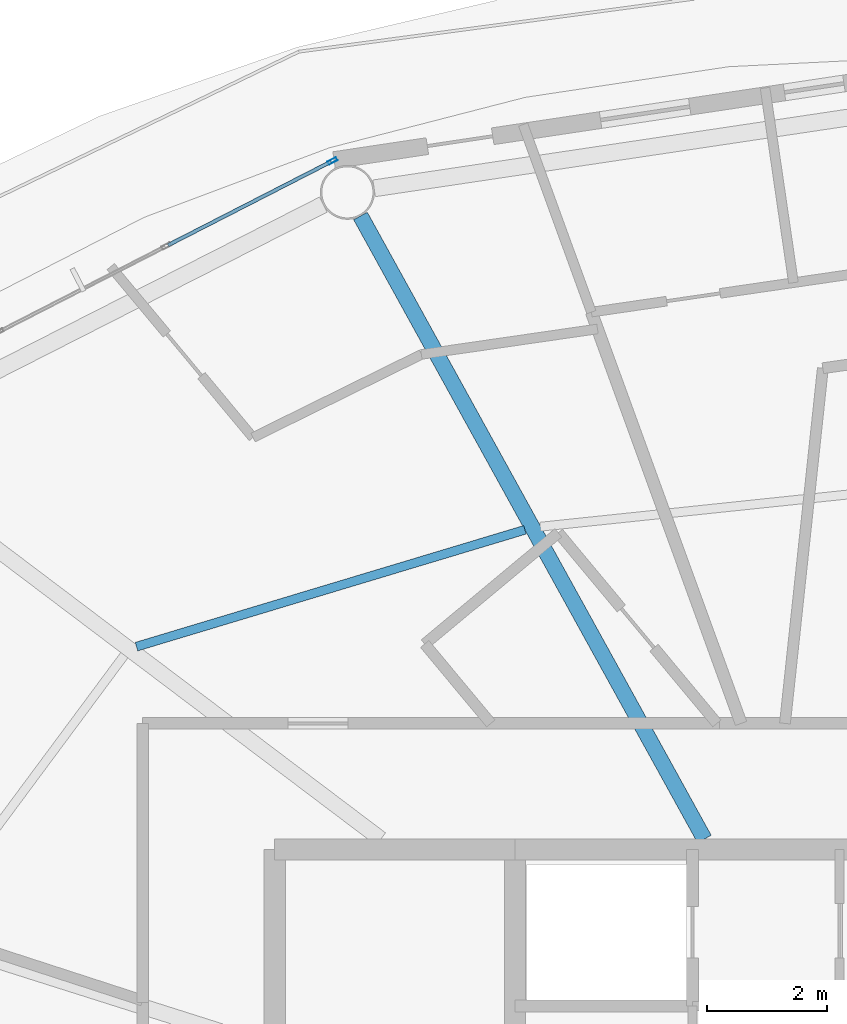
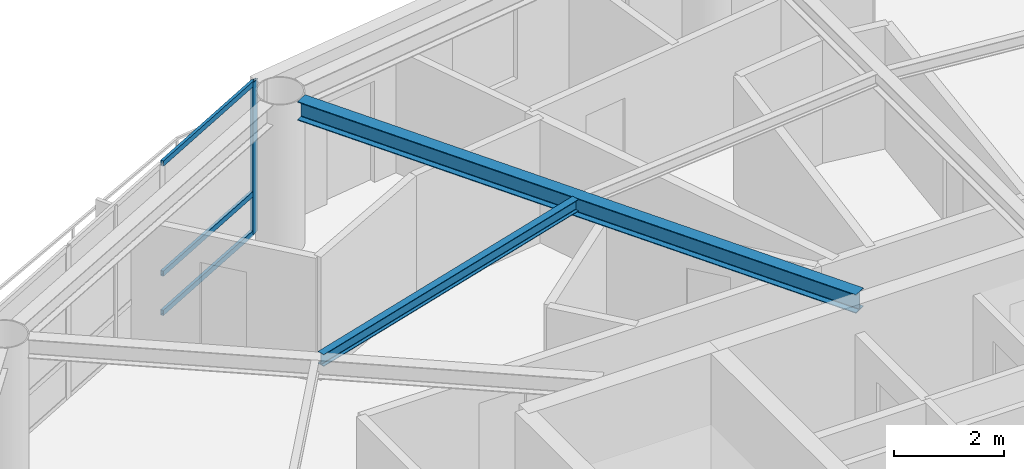
# One storey, part 9 of 22: 4 members, 2 beams, 1 element without a shape of its own.
"""IFC4 building model written with IfcOpenShell, lengths in metres."""

from ifc_helpers import new_model, si_unit, direction, frame, origin, origin_2d, place, context, subcontext, project, spatial, hollow_rectangle, i_section, extrude, material, layer, layer_set, material_profile, profile_set, type_object, element, aggregate, save


model = new_model("IFC4")

# Units and contexts
model_context = context("Model", 3, precision=1e-05, world=origin(), true_north=direction((0.0, 1.0)))
body_context = subcontext(model_context, "Body", "Model", "MODEL_VIEW")
ifc_project = project(units=[si_unit("LENGTHUNIT", "METRE"), si_unit("AREAUNIT", "SQUARE_METRE"), si_unit("VOLUMEUNIT", "CUBIC_METRE"), si_unit("PLANEANGLEUNIT", "RADIAN"), si_unit("MASSUNIT", "GRAM", prefix="KILO")], contexts=[model_context])

# Site, building, storey
site_placement = place(None, origin())
site = spatial("IfcSite", under=ifc_project, at=site_placement, CompositionType="ELEMENT")
building_placement = place(site_placement, origin())
building = spatial("IfcBuilding", under=site, at=building_placement, Name="Sarneth Arch Tower", CompositionType="ELEMENT")
storey_placement = place(building_placement, frame((0.0, 0.0, 298.199951171875)))
storey = spatial("IfcBuildingStorey", under=building, at=storey_placement, Name="L77", CompositionType="ELEMENT", Elevation=298.199951171875)

# Beams
ifc_material_1 = material(Name="Steel S355", Category="steel")
ifc_material_profile_1 = material_profile(ifc_material_1, i_section(OverallWidth=0.14794921875, OverallDepth=0.26611328125, WebThickness=0.007568359375, FlangeThickness=0.012939453125, FilletRadius=0.012939453125, at=origin_2d()), Name="W250x44.8")
ifc_profile_set_1 = profile_set([ifc_material_profile_1], Name="Steel S355")
beam_type_1 = type_object("IfcBeamType", Name="BM-JOIST-250", PredefinedType="JOIST", material=ifc_profile_set_1)
beam_1_placement = place(storey_placement, frame((41.163818359375, 54.122314453125, 3.237060546875), z_axis=(-0.95760703602, -0.288077705776, 0.0), x_axis=(0.288077705776, -0.95760703602, 0.0)))
element("IfcBeam", 1, at=beam_1_placement, inside=storey, type_object=beam_type_1, Name="L77 Secondary floor joist 06", PredefinedType="JOIST", context=body_context, shape_type="SweptSolid", body=[
    extrude(i_section(OverallWidth=0.14794921875, OverallDepth=0.26611328125, WebThickness=0.007568359375, FlangeThickness=0.012939453125, FilletRadius=0.012939453125, at=origin_2d()), origin(), (0.0, 0.0, 1.0), 6.7509765625),
])
ifc_material_2 = material(Name="Steel S355", Category="steel")
ifc_material_profile_2 = material_profile(ifc_material_2, i_section(OverallWidth=0.260009765625, OverallDepth=0.4150390625, WebThickness=0.010009765625, FlangeThickness=0.016845703125, FilletRadius=0.01611328125, at=origin_2d()), Name="W410x100")
ifc_profile_set_2 = profile_set([ifc_material_profile_2], Name="Steel S355")
beam_type_2 = type_object("IfcBeamType", Name="BM-RAD-410A", PredefinedType="BEAM", material=ifc_profile_set_2)
beam_2_placement = place(storey_placement, frame((44.150146484375, 48.97509765625, 3.16259765625), z_axis=(-0.483229367873, 0.875493790969, 0.0), x_axis=(-0.875493790969, -0.483229367873, 0.0)))
element("IfcBeam", 2, at=beam_2_placement, inside=storey, type_object=beam_type_2, Name="L77 Radial floor girder 06", PredefinedType="BEAM", context=body_context, shape_type="SweptSolid", body=[
    extrude(i_section(OverallWidth=0.260009765625, OverallDepth=0.4150390625, WebThickness=0.010009765625, FlangeThickness=0.016845703125, FilletRadius=0.01611328125, at=origin_2d()), origin(), (0.0, 0.0, 1.0), 11.843994140625),
])

# Curtain wall, members
ifc_material_3 = material(Name="Anodised aluminium Type AA25 and solar-control low-e laminated IGU", Category="aluminium")
ifc_layer = layer(ifc_material_3, 0.179931640625)
ifc_layer_set = layer_set([ifc_layer], Name="Anodised aluminium Type AA25 and solar-control low-e laminated IGU")
curtain_wall_type = type_object("IfcCurtainWallType", Name="CW-RES-HIGH", PredefinedType="NOTDEFINED", material=ifc_layer_set)
curtain_wall_placement = place(storey_placement, origin())
curtain_wall = element("IfcCurtainWall", 3, at=curtain_wall_placement, inside=storey, type_object=curtain_wall_type, Name="L77 Unitised curtain wall facet 06", PredefinedType="NOTDEFINED")
ifc_material_4 = material(Name="Anodised Aluminium 6063-T6", Category="aluminium")
ifc_material_profile_3 = material_profile(ifc_material_4, hollow_rectangle(XDim=0.06005859375, YDim=0.159912109375, WallThickness=0.00390625, at=origin_2d()), Name="AL-MULL-160x60x4")
ifc_profile_set_3 = profile_set([ifc_material_profile_3], Name="Anodised Aluminium 6063-T6")
member_type_1 = type_object("IfcMemberType", Name="CW-MULLION", PredefinedType="MULLION", material=ifc_profile_set_3)
member_1_placement = place(storey_placement, frame((37.960693359375, 60.2607421875, 0.0), z_axis=(0.0, 0.0, 1.0), x_axis=(0.455941901753, -0.890009540525, 0.0)))
member_1 = element("IfcMember", 4, at=member_1_placement, type_object=member_type_1, Name="CW-SYS-6 mullion 1", PredefinedType="MULLION", context=body_context, shape_type="SweptSolid", body=[
    extrude(hollow_rectangle(XDim=0.06005859375, YDim=0.159912109375, WallThickness=0.00390625, at=origin_2d()), origin(), (0.0, 0.0, 1.0), 3.3701171875),
])
ifc_material_5 = material(Name="Anodised Aluminium 6063-T6", Category="aluminium")
ifc_material_profile_4 = material_profile(ifc_material_5, hollow_rectangle(XDim=0.06005859375, YDim=0.1201171875, WallThickness=0.00390625, at=origin_2d()), Name="AL-TRAN-120x60x4")
ifc_profile_set_4 = profile_set([ifc_material_profile_4], Name="Anodised Aluminium 6063-T6")
member_type_2 = type_object("IfcMemberType", Name="CW-TRANSOM", PredefinedType="USERDEFINED", material=ifc_profile_set_4)
member_2_placement = place(storey_placement, frame((37.933837890625, 60.2470703125, 0.030029296875), z_axis=(-0.889973523166, -0.456012201662, 0.0), x_axis=(0.456012201662, -0.889973523166, 0.0)))
member_2 = element("IfcMember", 5, at=member_2_placement, type_object=member_type_2, Name="CW-SYS-6 transom 1.1", ObjectType="TRANSOM", PredefinedType="USERDEFINED", context=body_context, shape_type="SweptSolid", body=[
    extrude(hollow_rectangle(XDim=0.06005859375, YDim=0.1201171875, WallThickness=0.00390625, at=origin_2d()), origin(), (0.0, 0.0, 1.0), 3.044677734375),
])
member_3_placement = place(storey_placement, frame((37.933837890625, 60.2470703125, 0.900146484375), z_axis=(-0.889973523166, -0.456012201662, 0.0), x_axis=(0.456012201662, -0.889973523166, 0.0)))
member_3 = element("IfcMember", 6, at=member_3_placement, type_object=member_type_2, Name="CW-SYS-6 transom 1.2", ObjectType="TRANSOM", PredefinedType="USERDEFINED", context=body_context, shape_type="SweptSolid", body=[
    extrude(hollow_rectangle(XDim=0.06005859375, YDim=0.1201171875, WallThickness=0.00390625, at=origin_2d()), origin(), (0.0, 0.0, 1.0), 3.044677734375),
])
member_4_placement = place(storey_placement, frame((37.933837890625, 60.2470703125, 3.340087890625), z_axis=(-0.889973523166, -0.456012201662, 0.0), x_axis=(0.456012201662, -0.889973523166, 0.0)))
member_4 = element("IfcMember", 7, at=member_4_placement, type_object=member_type_2, Name="CW-SYS-6 transom 1.3", ObjectType="TRANSOM", PredefinedType="USERDEFINED", context=body_context, shape_type="SweptSolid", body=[
    extrude(hollow_rectangle(XDim=0.06005859375, YDim=0.1201171875, WallThickness=0.00390625, at=origin_2d()), origin(), (0.0, 0.0, 1.0), 3.044677734375),
])
aggregate(curtain_wall, [member_1, member_2, member_3, member_4])

save(model, "model.ifc")
